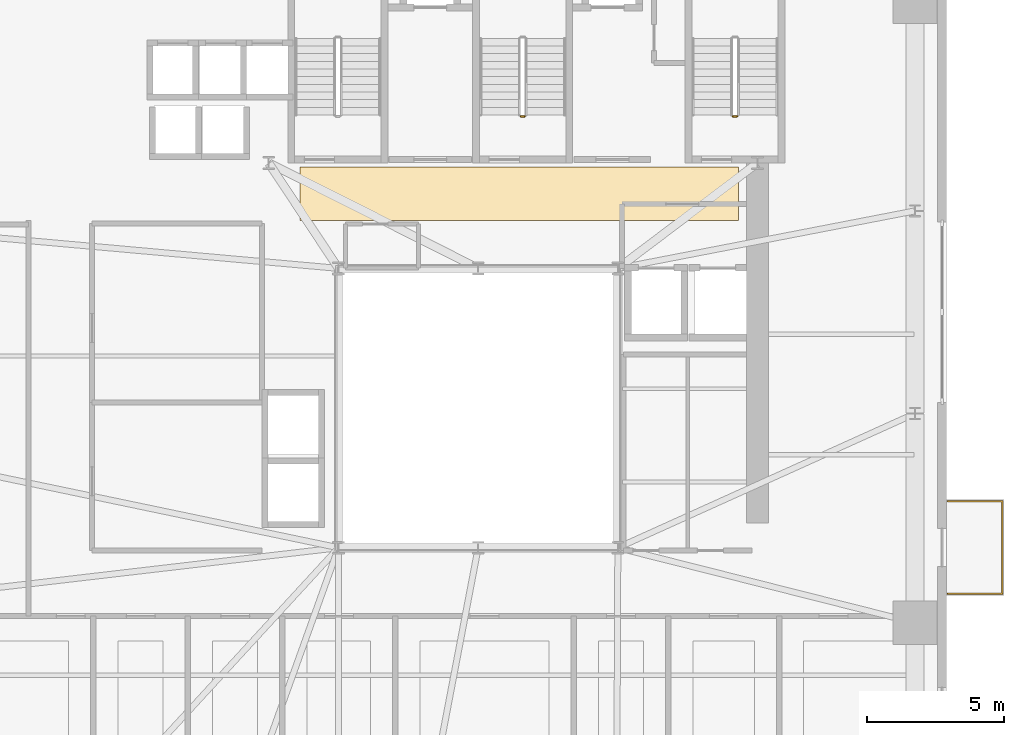
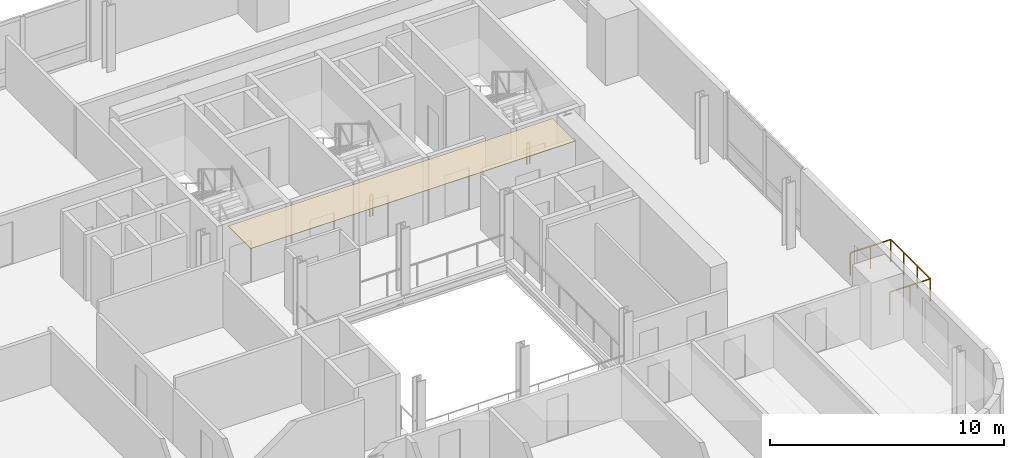
# One storey, part 12 of 14: 3 railings, 1 covering.
"""IFC4 building model written with IfcOpenShell, lengths in metres."""

from ifc_helpers import new_model, si_unit, direction, frame, origin, origin_2d, place, context, subcontext, project, spatial, polyline, rectangle, outline, extrude, source, transform, mapped, material, layer, layer_set, type_object, element, save


model = new_model("IFC4")

# Units and contexts
model_context = context("Model", 3, precision=1e-05, world=origin(), true_north=direction((0.0, 1.0)))
body_context = subcontext(model_context, "Body", "Model", "MODEL_VIEW")
ifc_project = project(units=[si_unit("LENGTHUNIT", "METRE"), si_unit("AREAUNIT", "SQUARE_METRE"), si_unit("VOLUMEUNIT", "CUBIC_METRE"), si_unit("PLANEANGLEUNIT", "RADIAN"), si_unit("MASSUNIT", "GRAM", prefix="KILO")], contexts=[model_context])

# Site, building, storey
site_placement = place(None, origin())
site = spatial("IfcSite", under=ifc_project, at=site_placement, CompositionType="ELEMENT")
building_placement = place(site_placement, origin())
building = spatial("IfcBuilding", under=site, at=building_placement, Name="Vardaveli Station Tower", CompositionType="ELEMENT")
storey_placement = place(building_placement, frame((0.0, 0.0, 122.39990234375)))
storey = spatial("IfcBuildingStorey", under=building, at=storey_placement, Name="L31", CompositionType="ELEMENT", Elevation=122.39990234375)

# Covering
ifc_material_1 = material(Name="Perforated acoustic mineral ceiling")
ifc_layer = layer(ifc_material_1, 0.02001953125, Name="Perforated acoustic mineral ceiling")
ifc_layer_set = layer_set([ifc_layer], Name="Perforated acoustic mineral ceiling")
covering_type = type_object("IfcCoveringType", Name="COV-CEIL-AC20", PredefinedType="CEILING", material=ifc_layer_set)
covering_placement = place(storey_placement, frame((0.0, 0.0, 3.445068359375)))
element("IfcCovering", 1, at=covering_placement, inside=storey, type_object=covering_type, Name="CEIL-L31-9", PredefinedType="CEILING", context=body_context, shape_type="SweptSolid", body=[
    extrude(outline(polyline([(29.800048828125, 28.550048828125), (45.800048828125, 28.550048828125), (45.800048828125, 30.5), (29.800048828125, 30.5), (29.800048828125, 28.550048828125)])), origin(), (0.0, 0.0, 1.0), 0.02001953125),
])

# Railings
ifc_material_2 = material(Name="Laminated glass and stainless steel balustrade", Category="steel")
railing_type_1 = type_object("IfcRailingType", Name="RL-BAL-1200", PredefinedType="BALUSTRADE", material=ifc_material_2)
shared_shape_1 = source(origin(), body_context, "Body", "SweptSolid", [
    extrude(rectangle(XDim=0.048095703125, YDim=0.048095703125, at=origin_2d()), frame((0.0, 0.0, 1.17578125), z_axis=(1.0, 0.0, 0.0), x_axis=(0.0, 1.0, 0.0)), (0.0, 0.0, 1.0), 2.0),
    extrude(rectangle(XDim=0.048095703125, YDim=0.048095703125, at=origin_2d()), frame((2.0, 0.0, 1.17578125), z_axis=(0.0, 1.0, 0.0), x_axis=(-1.0, 0.0, 0.0)), (0.0, 0.0, 1.0), 3.3798828125),
    extrude(rectangle(XDim=0.048095703125, YDim=0.048095703125, at=origin_2d()), frame((2.0, 3.3798828125, 1.17578125), z_axis=(-1.0, 0.0, 0.0), x_axis=(0.0, -1.0, 0.0)), (0.0, 0.0, 1.0), 2.0),
    extrude(rectangle(XDim=0.0419921875, YDim=0.0419921875, at=origin_2d()), origin(), (0.0, 0.0, 1.0), 1.15185546875),
    extrude(rectangle(XDim=0.0419921875, YDim=0.0419921875, at=origin_2d()), frame((1.0, 0.0, 0.0)), (0.0, 0.0, 1.0), 1.15185546875),
    extrude(rectangle(XDim=0.0419921875, YDim=0.0419921875, at=origin_2d()), frame((2.0, 0.0, 0.0)), (0.0, 0.0, 1.0), 1.15185546875),
    extrude(rectangle(XDim=0.0419921875, YDim=0.0419921875, at=origin_2d()), frame((2.0, 1.126708984375, 0.0)), (0.0, 0.0, 1.0), 1.15185546875),
    extrude(rectangle(XDim=0.0419921875, YDim=0.0419921875, at=origin_2d()), frame((2.0, 2.253173828125, 0.0)), (0.0, 0.0, 1.0), 1.15185546875),
    extrude(rectangle(XDim=0.0419921875, YDim=0.0419921875, at=origin_2d()), frame((2.0, 3.3798828125, 0.0)), (0.0, 0.0, 1.0), 1.15185546875),
    extrude(rectangle(XDim=0.0419921875, YDim=0.0419921875, at=origin_2d()), frame((1.0, 3.3798828125, 0.0)), (0.0, 0.0, 1.0), 1.15185546875),
    extrude(rectangle(XDim=0.0419921875, YDim=0.0419921875, at=origin_2d()), frame((0.0, 3.3798828125, 0.0)), (0.0, 0.0, 1.0), 1.15185546875),
])
railing_placement = place(storey_placement, frame((53.43994140625, 14.92041015625, 0.0)))
element("IfcRailing", 2, at=railing_placement, inside=storey, type_object=railing_type_1, Name="RL-LOG-L31-04", PredefinedType="BALUSTRADE", context=body_context, shape_type="MappedRepresentation", body=[
    mapped(shared_shape_1, transform((0.0, 0.0, 0.0), scale=1.0)),
])
ifc_material_3 = material(Name="Brushed AISI 316 stainless steel", Category="steel")
railing_type_2 = type_object("IfcRailingType", Name="RL-GUARD-1150", PredefinedType="GUARDRAIL", material=ifc_material_3)
shared_shape_2 = source(origin(), body_context, "Body", "SweptSolid", [
    extrude(rectangle(XDim=0.048095703125, YDim=0.048095703125, at=origin_2d()), frame((0.0, 0.0, 1.1259765625), z_axis=(-1.0, 0.0, 0.0), x_axis=(0.0, -1.0, 0.0)), (0.0, 0.0, 1.0), 0.14990234375),
    extrude(rectangle(XDim=0.0419921875, YDim=0.0419921875, at=origin_2d()), origin(), (0.0, 0.0, 1.0), 1.101806640625),
    extrude(rectangle(XDim=0.0419921875, YDim=0.0419921875, at=origin_2d()), frame((-0.14990234375, 0.0, 0.0)), (0.0, 0.0, 1.0), 1.101806640625),
])
for number, where, name in (
    (3, (38.0, 32.35009765625, 0.0), "L31 ST-2 stair guard 4"),
    (4, (45.75, 32.35009765625, 0.0), "L31 ST-3 stair guard 4"),
):
    element("IfcRailing", number, at=place(storey_placement, frame(where)), inside=storey, type_object=railing_type_2, Name=name, PredefinedType="GUARDRAIL", context=body_context, shape_type="MappedRepresentation", body=[
        mapped(shared_shape_2, transform((0.0, 0.0, 0.0), scale=1.0)),
    ])

save(model, "model.ifc")
